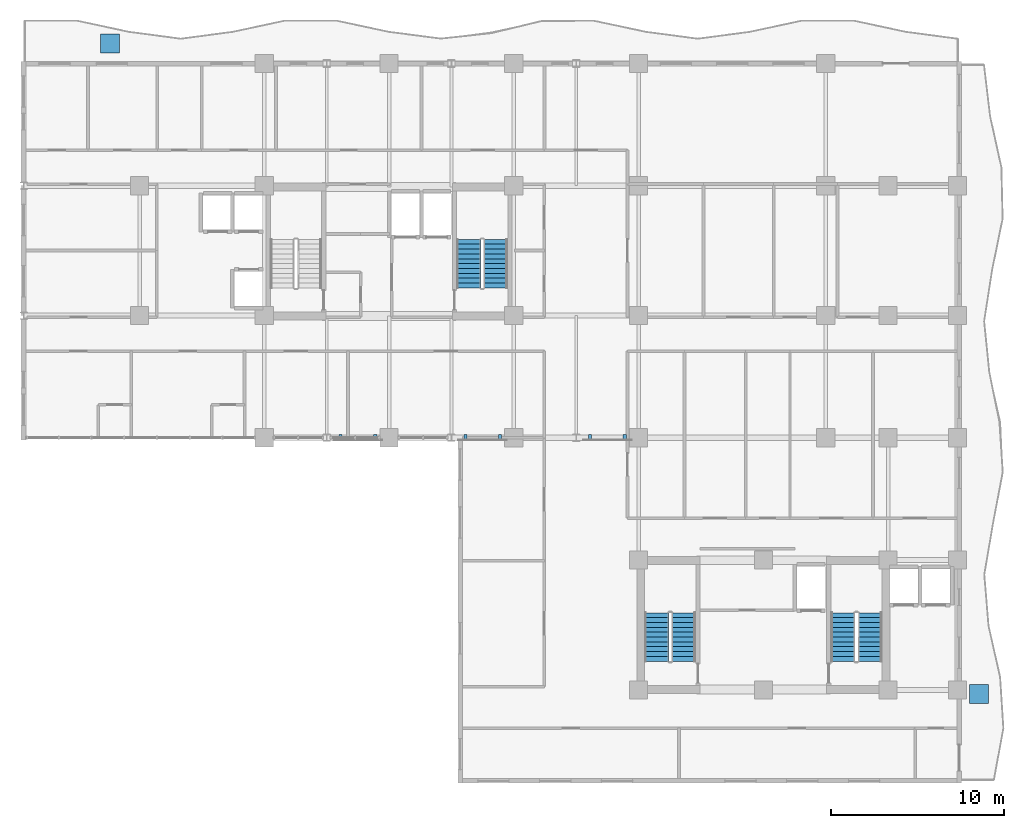
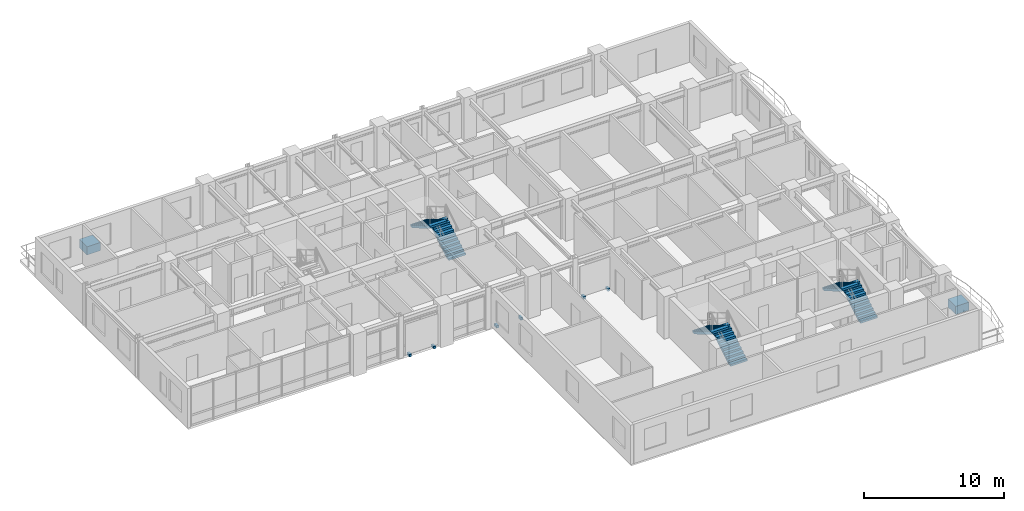
# One storey, part 14 of 17: 8 discrete accessories, 6 stair flights, 3 elements without a shape of their own.
"""IFC4 building model written with IfcOpenShell, lengths in metres."""

from ifc_helpers import new_model, si_unit, direction, frame, origin, origin_2d, place, context, subcontext, project, spatial, polyline, rectangle, outline, extrude, source, transform, mapped, material, type_object, element, aggregate, save


model = new_model("IFC4")

# Units and contexts
model_context = context("Model", 3, precision=1e-05, world=origin(), true_north=direction((0.0, 1.0)))
body_context = subcontext(model_context, "Body", "Model", "MODEL_VIEW")
ifc_project = project(units=[si_unit("LENGTHUNIT", "METRE"), si_unit("AREAUNIT", "SQUARE_METRE"), si_unit("VOLUMEUNIT", "CUBIC_METRE"), si_unit("PLANEANGLEUNIT", "RADIAN"), si_unit("MASSUNIT", "GRAM", prefix="KILO")], contexts=[model_context])

# Site, building, storey
site_placement = place(None, origin())
site = spatial("IfcSite", under=ifc_project, at=site_placement, CompositionType="ELEMENT")
building_placement = place(site_placement, origin())
building = spatial("IfcBuilding", under=site, at=building_placement, Name="Kaliganga Portal Commons", CompositionType="ELEMENT")
storey_placement = place(building_placement, frame((0.0, 0.0, 143.89990234375)))
storey = spatial("IfcBuildingStorey", under=building, at=storey_placement, Name="L36", CompositionType="ELEMENT", Elevation=143.89990234375)

# Stair, stair flights
ifc_material_1 = material(Name="Concrete C40/50", Category="concrete")
stair_type = type_object("IfcStairType", Name="ST-CORE-DOGLEG", PredefinedType="HALF_TURN_STAIR", material=ifc_material_1)
stair_1_placement = place(storey_placement, origin())
stair_1 = element("IfcStair", 1, at=stair_1_placement, inside=storey, type_object=stair_type, Name="L36 Protected Exit Stair ST-A2", PredefinedType="HALF_TURN_STAIR")
stair_flight_type = type_object("IfcStairFlightType", Name="STF-RC-1400", PredefinedType="STRAIGHT", material=ifc_material_1)
stair_flight_1_placement = place(storey_placement, frame((27.75, 30.25, 0.0), z_axis=(0.0, 0.0, 1.0), x_axis=(0.0, 1.0, 0.0)))
stair_flight_1 = element("IfcStairFlight", 2, at=stair_flight_1_placement, type_object=stair_flight_type, Name="ST-A2 flight 1", NumberOfRisers=11, NumberOfTreads=10, PredefinedType="STRAIGHT", RiserHeight=0.168181818, TreadLength=0.28, context=body_context, shape_type="SweptSolid", body=[
    extrude(outline(polyline([(0.0, 0.0), (0.0, 0.168212890625), (0.280029296875, 0.168212890625), (0.280029296875, 0.33642578125), (0.56005859375, 0.33642578125), (0.56005859375, 0.504638671875), (0.840087890625, 0.504638671875), (0.840087890625, 0.672607421875), (1.1201171875, 0.672607421875), (1.1201171875, 0.8408203125), (1.39990234375, 0.8408203125), (1.39990234375, 1.009033203125), (1.679931640625, 1.009033203125), (1.679931640625, 1.17724609375), (1.9599609375, 1.17724609375), (1.9599609375, 1.345458984375), (2.239990234375, 1.345458984375), (2.239990234375, 1.513671875), (2.52001953125, 1.513671875), (2.52001953125, 1.681884765625), (2.800048828125, 1.681884765625), (2.800048828125, 1.85009765625), (2.800048828125, 1.5068359375), (0.291015625, 0.0), (0.0, 0.0)])), frame((0.0, 0.699951171875, 0.0), z_axis=(0.0, -1.0, 0.0), x_axis=(1.0, 0.0, 0.0)), (0.0, 0.0, 1.0), 1.39990234375),
])
stair_flight_2_placement = place(storey_placement, frame((26.199951171875, 33.050048828125, 1.85009765625), z_axis=(0.0, 0.0, 1.0), x_axis=(0.0, -1.0, 0.0)))
stair_flight_2 = element("IfcStairFlight", 3, at=stair_flight_2_placement, type_object=stair_flight_type, Name="ST-A2 flight 2", NumberOfRisers=11, NumberOfTreads=10, PredefinedType="STRAIGHT", RiserHeight=0.168181818, TreadLength=0.28, context=body_context, shape_type="SweptSolid", body=[
    extrude(outline(polyline([(0.0, 0.0), (0.0, 0.168212890625), (0.280029296875, 0.168212890625), (0.280029296875, 0.33642578125), (0.56005859375, 0.33642578125), (0.56005859375, 0.504638671875), (0.840087890625, 0.504638671875), (0.840087890625, 0.672607421875), (1.1201171875, 0.672607421875), (1.1201171875, 0.8408203125), (1.39990234375, 0.8408203125), (1.39990234375, 1.009033203125), (1.679931640625, 1.009033203125), (1.679931640625, 1.17724609375), (1.9599609375, 1.17724609375), (1.9599609375, 1.345458984375), (2.239990234375, 1.345458984375), (2.239990234375, 1.513671875), (2.52001953125, 1.513671875), (2.52001953125, 1.681884765625), (2.800048828125, 1.681884765625), (2.800048828125, 1.85009765625), (2.800048828125, 1.5068359375), (0.291015625, 0.0), (0.0, 0.0)])), frame((0.0, 0.699951171875, 0.0), z_axis=(0.0, -1.0, 0.0), x_axis=(1.0, 0.0, 0.0)), (0.0, 0.0, 1.0), 1.39990234375),
])
aggregate(stair_1, [stair_flight_1, stair_flight_2])

stair_2_placement = place(storey_placement, origin())
stair_2 = element("IfcStair", 4, at=stair_2_placement, inside=storey, type_object=stair_type, Name="L36 Protected Exit Stair ST-B1", PredefinedType="HALF_TURN_STAIR")
stair_flight_3_placement = place(storey_placement, frame((38.60009765625, 8.699951171875, 0.0), z_axis=(0.0, 0.0, 1.0), x_axis=(0.0, 1.0, 0.0)))
stair_flight_3 = element("IfcStairFlight", 5, at=stair_flight_3_placement, type_object=stair_flight_type, Name="ST-B1 flight 1", NumberOfRisers=11, NumberOfTreads=10, PredefinedType="STRAIGHT", RiserHeight=0.168181818, TreadLength=0.28, context=body_context, shape_type="SweptSolid", body=[
    extrude(outline(polyline([(0.0, 0.0), (0.0, 0.168212890625), (0.280029296875, 0.168212890625), (0.280029296875, 0.33642578125), (0.56005859375, 0.33642578125), (0.56005859375, 0.504638671875), (0.840087890625, 0.504638671875), (0.840087890625, 0.672607421875), (1.1201171875, 0.672607421875), (1.1201171875, 0.8408203125), (1.39990234375, 0.8408203125), (1.39990234375, 1.009033203125), (1.679931640625, 1.009033203125), (1.679931640625, 1.17724609375), (1.9599609375, 1.17724609375), (1.9599609375, 1.345458984375), (2.239990234375, 1.345458984375), (2.239990234375, 1.513671875), (2.52001953125, 1.513671875), (2.52001953125, 1.681884765625), (2.800048828125, 1.681884765625), (2.800048828125, 1.85009765625), (2.800048828125, 1.5068359375), (0.291015625, 0.0), (0.0, 0.0)])), frame((0.0, 0.699951171875, 0.0), z_axis=(0.0, -1.0, 0.0), x_axis=(1.0, 0.0, 0.0)), (0.0, 0.0, 1.0), 1.39990234375),
])
stair_flight_4_placement = place(storey_placement, frame((37.050048828125, 11.5, 1.85009765625), z_axis=(0.0, 0.0, 1.0), x_axis=(0.0, -1.0, 0.0)))
stair_flight_4 = element("IfcStairFlight", 6, at=stair_flight_4_placement, type_object=stair_flight_type, Name="ST-B1 flight 2", NumberOfRisers=11, NumberOfTreads=10, PredefinedType="STRAIGHT", RiserHeight=0.168181818, TreadLength=0.28, context=body_context, shape_type="SweptSolid", body=[
    extrude(outline(polyline([(0.0, 0.0), (0.0, 0.168212890625), (0.280029296875, 0.168212890625), (0.280029296875, 0.33642578125), (0.56005859375, 0.33642578125), (0.56005859375, 0.504638671875), (0.840087890625, 0.504638671875), (0.840087890625, 0.672607421875), (1.1201171875, 0.672607421875), (1.1201171875, 0.8408203125), (1.39990234375, 0.8408203125), (1.39990234375, 1.009033203125), (1.679931640625, 1.009033203125), (1.679931640625, 1.17724609375), (1.9599609375, 1.17724609375), (1.9599609375, 1.345458984375), (2.239990234375, 1.345458984375), (2.239990234375, 1.513671875), (2.52001953125, 1.513671875), (2.52001953125, 1.681884765625), (2.800048828125, 1.681884765625), (2.800048828125, 1.85009765625), (2.800048828125, 1.5068359375), (0.291015625, 0.0), (0.0, 0.0)])), frame((0.0, 0.699951171875, 0.0), z_axis=(0.0, -1.0, 0.0), x_axis=(1.0, 0.0, 0.0)), (0.0, 0.0, 1.0), 1.39990234375),
])
aggregate(stair_2, [stair_flight_3, stair_flight_4])

stair_3_placement = place(storey_placement, origin())
stair_3 = element("IfcStair", 7, at=stair_3_placement, inside=storey, type_object=stair_type, Name="L36 Protected Exit Stair ST-B2", PredefinedType="HALF_TURN_STAIR")
stair_flight_5_placement = place(storey_placement, frame((49.35009765625, 8.699951171875, 0.0), z_axis=(0.0, 0.0, 1.0), x_axis=(0.0, 1.0, 0.0)))
stair_flight_5 = element("IfcStairFlight", 8, at=stair_flight_5_placement, type_object=stair_flight_type, Name="ST-B2 flight 1", NumberOfRisers=11, NumberOfTreads=10, PredefinedType="STRAIGHT", RiserHeight=0.168181818, TreadLength=0.28, context=body_context, shape_type="SweptSolid", body=[
    extrude(outline(polyline([(0.0, 0.0), (0.0, 0.168212890625), (0.280029296875, 0.168212890625), (0.280029296875, 0.33642578125), (0.56005859375, 0.33642578125), (0.56005859375, 0.504638671875), (0.840087890625, 0.504638671875), (0.840087890625, 0.672607421875), (1.1201171875, 0.672607421875), (1.1201171875, 0.8408203125), (1.39990234375, 0.8408203125), (1.39990234375, 1.009033203125), (1.679931640625, 1.009033203125), (1.679931640625, 1.17724609375), (1.9599609375, 1.17724609375), (1.9599609375, 1.345458984375), (2.239990234375, 1.345458984375), (2.239990234375, 1.513671875), (2.52001953125, 1.513671875), (2.52001953125, 1.681884765625), (2.800048828125, 1.681884765625), (2.800048828125, 1.85009765625), (2.800048828125, 1.5068359375), (0.291015625, 0.0), (0.0, 0.0)])), frame((0.0, 0.699951171875, 0.0), z_axis=(0.0, -1.0, 0.0), x_axis=(1.0, 0.0, 0.0)), (0.0, 0.0, 1.0), 1.39990234375),
])
stair_flight_6_placement = place(storey_placement, frame((47.800048828125, 11.5, 1.85009765625), z_axis=(0.0, 0.0, 1.0), x_axis=(0.0, -1.0, 0.0)))
stair_flight_6 = element("IfcStairFlight", 9, at=stair_flight_6_placement, type_object=stair_flight_type, Name="ST-B2 flight 2", NumberOfRisers=11, NumberOfTreads=10, PredefinedType="STRAIGHT", RiserHeight=0.168181818, TreadLength=0.28, context=body_context, shape_type="SweptSolid", body=[
    extrude(outline(polyline([(0.0, 0.0), (0.0, 0.168212890625), (0.280029296875, 0.168212890625), (0.280029296875, 0.33642578125), (0.56005859375, 0.33642578125), (0.56005859375, 0.504638671875), (0.840087890625, 0.504638671875), (0.840087890625, 0.672607421875), (1.1201171875, 0.672607421875), (1.1201171875, 0.8408203125), (1.39990234375, 0.8408203125), (1.39990234375, 1.009033203125), (1.679931640625, 1.009033203125), (1.679931640625, 1.17724609375), (1.9599609375, 1.17724609375), (1.9599609375, 1.345458984375), (2.239990234375, 1.345458984375), (2.239990234375, 1.513671875), (2.52001953125, 1.513671875), (2.52001953125, 1.681884765625), (2.800048828125, 1.681884765625), (2.800048828125, 1.85009765625), (2.800048828125, 1.5068359375), (0.291015625, 0.0), (0.0, 0.0)])), frame((0.0, 0.699951171875, 0.0), z_axis=(0.0, -1.0, 0.0), x_axis=(1.0, 0.0, 0.0)), (0.0, 0.0, 1.0), 1.39990234375),
])
aggregate(stair_3, [stair_flight_5, stair_flight_6])

# Discrete accessories
ifc_material_2 = material(Name="Precast concrete C40/50", Category="concrete")
discrete_accessory_type_1 = type_object("IfcDiscreteAccessoryType", Name="DAC-PLANTER-RC", PredefinedType="USERDEFINED", material=ifc_material_2)
shared_shape_1 = source(origin(), body_context, "Body", "SweptSolid", [
    extrude(rectangle(XDim=1.10009765625, YDim=1.10009765625, at=origin_2d()), origin(), (0.0, 0.0, 1.0), 0.719970703125),
])
for number, where, z_axis, x_axis, name in (
    (10, (5.5, 44.35009765625, 0.0), (0.0, 0.0, 1.0), (1.0, 0.0, 0.0), "Structural Tree Planter L36 balc_north"),
    (11, (55.64990234375, 6.800048828125, 0.0), (0.0, 0.0, 1.0), (1.0, 0.0, 0.0), "Structural Tree Planter L36 balc_east"),
):
    element("IfcDiscreteAccessory", number, at=place(storey_placement, frame(where, z_axis=z_axis, x_axis=x_axis)), inside=storey, type_object=discrete_accessory_type_1, Name=name, ObjectType="PLANTER", PredefinedType="USERDEFINED", context=body_context, shape_type="MappedRepresentation", body=[
        mapped(shared_shape_1, transform((0.0, 0.0, 0.0), x_axis=(1.0, 0.0, 0.0), y_axis=(0.0, 1.0, 0.0), z_axis=(0.0, 0.0, 1.0), scale=1.0)),
    ])
ifc_material_3 = material(Name="Structural steel S355J2", Category="steel")
discrete_accessory_type_2 = type_object("IfcDiscreteAccessoryType", Name="DAC-BRK-SCR", PredefinedType="BRACKET", material=ifc_material_3)
shared_shape_2 = source(origin(), body_context, "Body", "SweptSolid", [
    extrude(rectangle(XDim=0.179931640625, YDim=0.360107421875, at=origin_2d()), origin(), (0.0, 0.0, 1.0), 0.219970703125),
])
for number, where, z_axis, x_axis, name in (
    (12, (18.800048828125, 21.6201171875, -0.18994140625), (0.0, 0.0, 1.0), (1.0, 0.0, 0.0), "Solar Screen Outrigger Bracket L36-S1-1"),
    (13, (20.800048828125, 21.6201171875, -0.18994140625), (0.0, 0.0, 1.0), (1.0, 0.0, 0.0), "Solar Screen Outrigger Bracket L36-S1-2"),
    (14, (26.0, 21.6201171875, -0.18994140625), (0.0, 0.0, 1.0), (1.0, 0.0, 0.0), "Solar Screen Outrigger Bracket L36-S2-1"),
    (15, (28.0, 21.6201171875, -0.18994140625), (0.0, 0.0, 1.0), (1.0, 0.0, 0.0), "Solar Screen Outrigger Bracket L36-S2-2"),
    (16, (33.199951171875, 21.6201171875, -0.18994140625), (0.0, 0.0, 1.0), (1.0, 0.0, 0.0), "Solar Screen Outrigger Bracket L36-S3-1"),
    (17, (35.199951171875, 21.6201171875, -0.18994140625), (0.0, 0.0, 1.0), (1.0, 0.0, 0.0), "Solar Screen Outrigger Bracket L36-S3-2"),
):
    element("IfcDiscreteAccessory", number, at=place(storey_placement, frame(where, z_axis=z_axis, x_axis=x_axis)), inside=storey, type_object=discrete_accessory_type_2, Name=name, PredefinedType="BRACKET", context=body_context, shape_type="MappedRepresentation", body=[
        mapped(shared_shape_2, transform((0.0, 0.0, 0.0), x_axis=(1.0, 0.0, 0.0), y_axis=(0.0, 1.0, 0.0), z_axis=(0.0, 0.0, 1.0), scale=1.0)),
    ])

save(model, "model.ifc")
